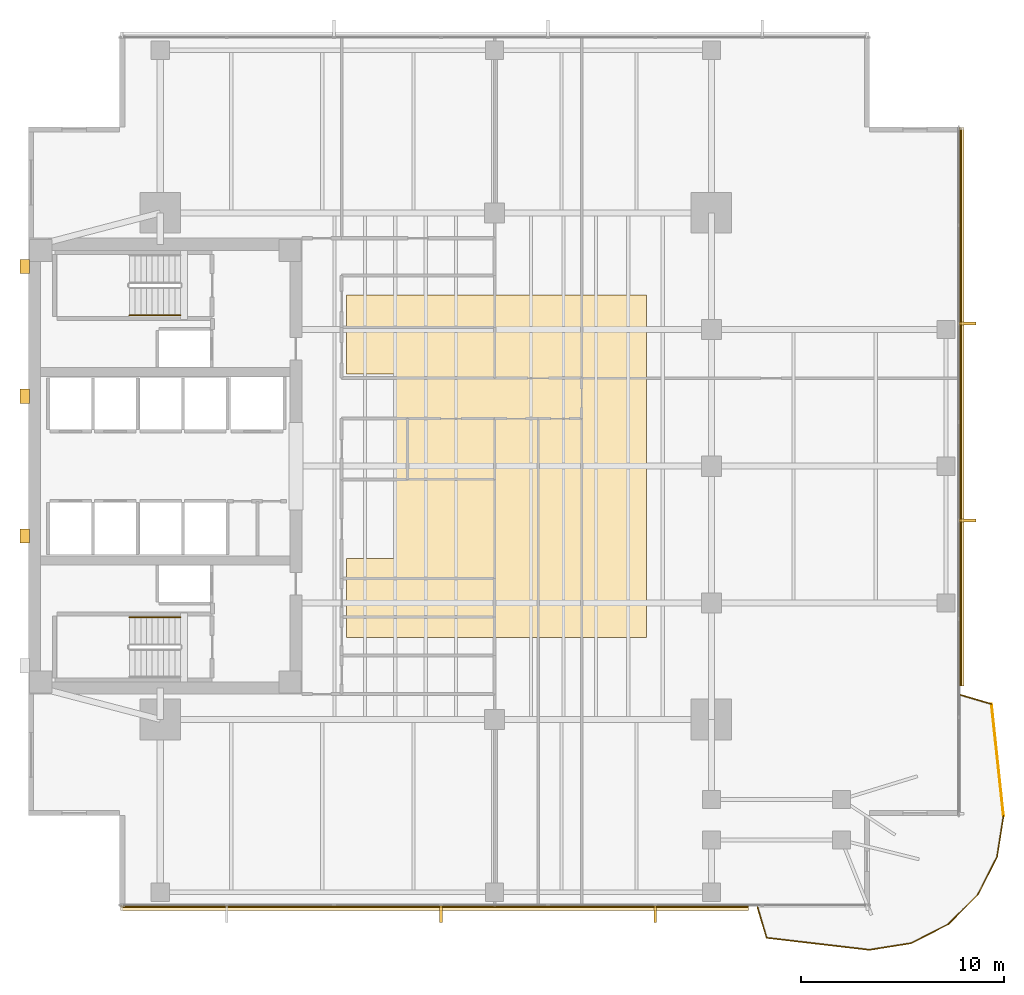
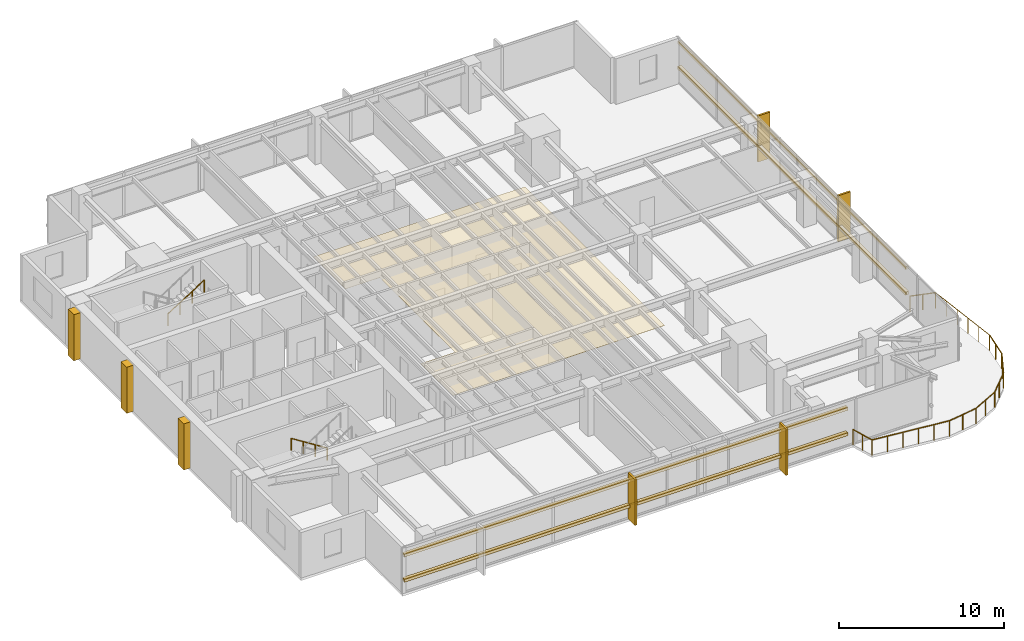
# One storey, part 12 of 14: 12 coverings, 11 railings, 4 shading devices.
"""IFC4 building model written with IfcOpenShell, lengths in metres."""

from ifc_helpers import new_model, si_unit, direction, frame, origin, origin_2d, place, context, subcontext, project, spatial, polyline, rectangle, circle, outline, extrude, material, layer, layer_set, material_profile, profile_set, type_object, element, save


model = new_model("IFC4")

# Units and contexts
model_context = context("Model", 3, precision=1e-05, world=origin(), true_north=direction((0.0, 1.0)))
body_context = subcontext(model_context, "Body", "Model", "MODEL_VIEW")
ifc_project = project(units=[si_unit("LENGTHUNIT", "METRE"), si_unit("AREAUNIT", "SQUARE_METRE"), si_unit("VOLUMEUNIT", "CUBIC_METRE"), si_unit("PLANEANGLEUNIT", "RADIAN"), si_unit("MASSUNIT", "GRAM", prefix="KILO")], contexts=[model_context])

# Site, building, storey
site_placement = place(None, origin())
site = spatial("IfcSite", under=ifc_project, at=site_placement, CompositionType="ELEMENT")
building_placement = place(site_placement, origin())
building = spatial("IfcBuilding", under=site, at=building_placement, Name="Kinhvarn Gate Tower", CompositionType="ELEMENT")
storey_placement = place(building_placement, frame((0.0, 0.0, 159.050048828125)))
storey = spatial("IfcBuildingStorey", under=building, at=storey_placement, Name="L42", CompositionType="ELEMENT", Elevation=159.050048828125)

# Coverings
ifc_material_1 = material(Name="Fired architectural terracotta", Category="masonry")
ifc_layer_1 = layer(ifc_material_1, 0.239990234375)
ifc_layer_set_1 = layer_set([ifc_layer_1], Name="Fired architectural terracotta")
covering_type_1 = type_object("IfcCoveringType", Name="COV-BAG-220", PredefinedType="CLADDING", material=ifc_layer_set_1)
for number, where, name in (
    (1, (0.0, 0.0, 0.93994140625), "Terracotta Horizontal Sunscreen Band TBG-220 (L42)"),
    (2, (0.0, 0.0, 2.81005859375), "Terracotta Horizontal Sunscreen Band TBG-220 (L42)"),
):
    element("IfcCovering", number, at=place(storey_placement, frame(where)), inside=storey, type_object=covering_type_1, Name=name, PredefinedType="CLADDING", context=body_context, shape_type="SweptSolid", body=[
        extrude(outline(polyline([(9.0400390625, 3.570068359375), (40.02490234375, 3.570068359375), (40.02490234375, 3.330078125), (9.0400390625, 3.330078125), (9.0400390625, 3.570068359375)])), origin(), (0.0, 0.0, 1.0), 0.219970703125),
    ])
for number, where, name in (
    (3, (0.0, 0.0, 0.93994140625), "Terracotta Horizontal Sunscreen Band TBG-220 (L42)"),
    (4, (0.0, 0.0, 2.81005859375), "Terracotta Horizontal Sunscreen Band TBG-220 (L42)"),
):
    element("IfcCovering", number, at=place(storey_placement, frame(where)), inside=storey, type_object=covering_type_1, Name=name, PredefinedType="CLADDING", context=body_context, shape_type="SweptSolid", body=[
        extrude(outline(polyline([(50.429931640625, 14.412109375), (50.429931640625, 41.9599609375), (50.669921875, 41.9599609375), (50.669921875, 14.412109375), (50.429931640625, 14.412109375)])), origin(), (0.0, 0.0, 1.0), 0.219970703125),
    ])
ifc_material_2 = material(Name="Mineral-fibre acoustic ceiling tile")
ifc_layer_2 = layer(ifc_material_2, 0.02001953125)
ifc_layer_set_2 = layer_set([ifc_layer_2], Name="Mineral-fibre acoustic ceiling tile")
covering_type_2 = type_object("IfcCoveringType", Name="COV-CEIL-20", PredefinedType="CEILING", material=ifc_layer_set_2)
covering_1_placement = place(storey_placement, frame((0.0, 0.0, 2.64990234375)))
element("IfcCovering", 5, at=covering_1_placement, inside=storey, type_object=covering_type_2, Name="Suspended Acoustic Ceiling Tile (L42-1)", PredefinedType="CEILING", context=body_context, shape_type="SweptSolid", body=[
    extrude(outline(polyline([(35.0, 33.699951171875), (35.0, 16.800048828125), (20.199951171875, 16.800048828125), (20.199951171875, 20.699951171875), (22.60009765625, 20.699951171875), (22.60009765625, 29.800048828125), (20.199951171875, 29.800048828125), (20.199951171875, 33.699951171875), (35.0, 33.699951171875)])), origin(), (0.0, 0.0, 1.0), 0.02001953125),
])
ifc_layer_3 = layer(ifc_material_1, 0.139892578125)
ifc_layer_set_3 = layer_set([ifc_layer_3], Name="Fired architectural terracotta")
covering_type_3 = type_object("IfcCoveringType", Name="COV-FIN-850", PredefinedType="CLADDING", material=ifc_layer_set_3)
covering_2_placement = place(storey_placement, frame((0.0, 0.0, -0.02001953125)))
element("IfcCovering", 6, at=covering_2_placement, inside=storey, type_object=covering_type_3, Name="Vertical Terracotta Expressive Fin TFN-850 (L42)", PredefinedType="CLADDING", context=body_context, shape_type="SweptSolid", body=[
    extrude(outline(polyline([(24.787109375, 3.580078125), (24.927001953125, 3.580078125), (24.927001953125, 2.72998046875), (24.787109375, 2.72998046875), (24.787109375, 3.580078125)])), origin(), (0.0, 0.0, 1.0), 3.409912109375),
])
covering_3_placement = place(storey_placement, frame((0.0, 0.0, -0.02001953125)))
element("IfcCovering", 7, at=covering_3_placement, inside=storey, type_object=covering_type_3, Name="Vertical Terracotta Expressive Fin TFN-850 (L42)", PredefinedType="CLADDING", context=body_context, shape_type="SweptSolid", body=[
    extrude(outline(polyline([(35.358642578125, 3.580078125), (35.49853515625, 3.580078125), (35.49853515625, 2.72998046875), (35.358642578125, 2.72998046875), (35.358642578125, 3.580078125)])), origin(), (0.0, 0.0, 1.0), 3.409912109375),
])
covering_4_placement = place(storey_placement, frame((0.0, 0.0, -0.02001953125)))
element("IfcCovering", 8, at=covering_4_placement, inside=storey, type_object=covering_type_3, Name="Vertical Terracotta Expressive Fin TFN-850 (L42)", PredefinedType="CLADDING", context=body_context, shape_type="SweptSolid", body=[
    extrude(outline(polyline([(50.419921875, 22.50146484375), (50.419921875, 22.641357421875), (51.27001953125, 22.641357421875), (51.27001953125, 22.50146484375), (50.419921875, 22.50146484375)])), origin(), (0.0, 0.0, 1.0), 3.409912109375),
])
covering_5_placement = place(storey_placement, frame((0.0, 0.0, -0.02001953125)))
element("IfcCovering", 9, at=covering_5_placement, inside=storey, type_object=covering_type_3, Name="Vertical Terracotta Expressive Fin TFN-850 (L42)", PredefinedType="CLADDING", context=body_context, shape_type="SweptSolid", body=[
    extrude(outline(polyline([(50.419921875, 32.2158203125), (50.419921875, 32.355712890625), (51.27001953125, 32.355712890625), (51.27001953125, 32.2158203125), (50.419921875, 32.2158203125)])), origin(), (0.0, 0.0, 1.0), 3.409912109375),
])
ifc_material_3 = material(Name="Precast white architectural concrete C40/50", Category="concrete")
ifc_layer_4 = layer(ifc_material_3, 0.47998046875)
ifc_layer_set_4 = layer_set([ifc_layer_4], Name="Precast white architectural concrete C40/50")
covering_type_4 = type_object("IfcCoveringType", Name="COV-RIB-450", PredefinedType="CLADDING", material=ifc_layer_set_4)
covering_6_placement = place(storey_placement, frame((0.0, 0.0, -0.02001953125)))
element("IfcCovering", 10, at=covering_6_placement, inside=storey, type_object=covering_type_4, Name="West Core Sculptural Concrete Relief Rib CRB-450 (L42)", PredefinedType="CLADDING", context=body_context, shape_type="SweptSolid", body=[
    extrude(outline(polyline([(4.080078125, 21.449951171875), (4.56005859375, 21.449951171875), (4.56005859375, 22.14990234375), (4.080078125, 22.14990234375), (4.080078125, 21.449951171875)])), origin(), (0.0, 0.0, 1.0), 3.409912109375),
])
covering_7_placement = place(storey_placement, frame((0.0, 0.0, -0.02001953125)))
element("IfcCovering", 11, at=covering_7_placement, inside=storey, type_object=covering_type_4, Name="West Core Sculptural Concrete Relief Rib CRB-450 (L42)", PredefinedType="CLADDING", context=body_context, shape_type="SweptSolid", body=[
    extrude(outline(polyline([(4.080078125, 28.35009765625), (4.56005859375, 28.35009765625), (4.56005859375, 29.050048828125), (4.080078125, 29.050048828125), (4.080078125, 28.35009765625)])), origin(), (0.0, 0.0, 1.0), 3.409912109375),
])
covering_8_placement = place(storey_placement, frame((0.0, 0.0, -0.02001953125)))
element("IfcCovering", 12, at=covering_8_placement, inside=storey, type_object=covering_type_4, Name="West Core Sculptural Concrete Relief Rib CRB-450 (L42)", PredefinedType="CLADDING", context=body_context, shape_type="SweptSolid", body=[
    extrude(outline(polyline([(4.080078125, 34.75), (4.56005859375, 34.75), (4.56005859375, 35.449951171875), (4.080078125, 35.449951171875), (4.080078125, 34.75)])), origin(), (0.0, 0.0, 1.0), 3.409912109375),
])

# Railings
ifc_material_4 = material(Name="Clear low-e double glazing", Category="glass")
railing_type_1 = type_object("IfcRailingType", Name="RL-BAL-1150", PredefinedType="BALUSTRADE", material=ifc_material_4)
railing_1_placement = place(storey_placement, frame((40.47509765625, 3.5, 0.0)))
element("IfcRailing", 13, at=railing_1_placement, inside=storey, type_object=railing_type_1, Name="S-Carve Balcony Guardrail Seg 1 (L42)", PredefinedType="BALUSTRADE", context=body_context, shape_type="SweptSolid", body=[
    extrude(circle(Radius=0.02392578125, at=origin_2d()), frame((0.0, 0.0, 1.1259765625), z_axis=(0.283130985822, -0.959081250399, 0.0), x_axis=(0.959081250399, 0.283130985822, 0.0)), (0.0, 0.0, 1.0), 1.589111328125),
    extrude(circle(Radius=0.02099609375, at=origin_2d()), origin(), (0.0, 0.0, 1.0), 1.101806640625),
    extrude(circle(Radius=0.02099609375, at=origin_2d()), frame((0.22509765625, -0.76220703125, 0.0)), (0.0, 0.0, 1.0), 1.101806640625),
    extrude(circle(Radius=0.02099609375, at=origin_2d()), frame((0.449951171875, -1.524169921875, 0.0)), (0.0, 0.0, 1.0), 1.101806640625),
])
railing_2_placement = place(storey_placement, frame((40.925048828125, 1.975830078125, 0.0)))
element("IfcRailing", 14, at=railing_2_placement, inside=storey, type_object=railing_type_1, Name="S-Carve Balcony Guardrail Seg 2 (L42)", PredefinedType="BALUSTRADE", context=body_context, shape_type="SweptSolid", body=[
    extrude(circle(Radius=0.02392578125, at=origin_2d()), frame((0.0, 0.0, 1.1259765625), z_axis=(0.993247455781, -0.116015048955, 0.0), x_axis=(0.116015048955, 0.993247455781, 0.0)), (0.0, 0.0, 1.0), 5.109375),
    extrude(circle(Radius=0.02099609375, at=origin_2d()), origin(), (0.0, 0.0, 1.0), 1.101806640625),
    extrude(circle(Radius=0.02099609375, at=origin_2d()), frame((1.014892578125, -0.11865234375, 0.0)), (0.0, 0.0, 1.0), 1.101806640625),
    extrude(circle(Radius=0.02099609375, at=origin_2d()), frame((2.030029296875, -0.237060546875, 0.0)), (0.0, 0.0, 1.0), 1.101806640625),
    extrude(circle(Radius=0.02099609375, at=origin_2d()), frame((3.044921875, -0.355712890625, 0.0)), (0.0, 0.0, 1.0), 1.101806640625),
    extrude(circle(Radius=0.02099609375, at=origin_2d()), frame((4.06005859375, -0.47412109375, 0.0)), (0.0, 0.0, 1.0), 1.101806640625),
    extrude(circle(Radius=0.02099609375, at=origin_2d()), frame((5.074951171875, -0.5927734375, 0.0)), (0.0, 0.0, 1.0), 1.101806640625),
])
railing_3_placement = place(storey_placement, frame((46.0, 1.383056640625, 0.0)))
element("IfcRailing", 15, at=railing_3_placement, inside=storey, type_object=railing_type_1, Name="S-Carve Balcony Guardrail Seg 3 (L42)", PredefinedType="BALUSTRADE", context=body_context, shape_type="SweptSolid", body=[
    extrude(circle(Radius=0.02392578125, at=origin_2d()), frame((0.0, 0.0, 1.1259765625), z_axis=(0.987699781224, 0.156362214649, 0.0), x_axis=(-0.156362214649, 0.987699781224, 0.0)), (0.0, 0.0, 1.0), 2.0703125),
    extrude(circle(Radius=0.02099609375, at=origin_2d()), origin(), (0.0, 0.0, 1.0), 1.101806640625),
    extrude(circle(Radius=0.02099609375, at=origin_2d()), frame((1.0224609375, 0.161865234375, 0.0)), (0.0, 0.0, 1.0), 1.101806640625),
    extrude(circle(Radius=0.02099609375, at=origin_2d()), frame((2.044921875, 0.32373046875, 0.0)), (0.0, 0.0, 1.0), 1.101806640625),
])
railing_4_placement = place(storey_placement, frame((48.044921875, 1.706787109375, 0.0)))
element("IfcRailing", 16, at=railing_4_placement, inside=storey, type_object=railing_type_1, Name="S-Carve Balcony Guardrail Seg 4 (L42)", PredefinedType="BALUSTRADE", context=body_context, shape_type="SweptSolid", body=[
    extrude(circle(Radius=0.02392578125, at=origin_2d()), frame((0.0, 0.0, 1.1259765625), z_axis=(0.890980989811, 0.454040610294, 0.0), x_axis=(-0.454040610294, 0.890980989811, 0.0)), (0.0, 0.0, 1.0), 2.070068359375),
    extrude(circle(Radius=0.02099609375, at=origin_2d()), origin(), (0.0, 0.0, 1.0), 1.101806640625),
    extrude(circle(Radius=0.02099609375, at=origin_2d()), frame((0.92236328125, 0.469970703125, 0.0)), (0.0, 0.0, 1.0), 1.101806640625),
    extrude(circle(Radius=0.02099609375, at=origin_2d()), frame((1.844482421875, 0.93994140625, 0.0)), (0.0, 0.0, 1.0), 1.101806640625),
])
railing_5_placement = place(storey_placement, frame((49.889404296875, 2.646728515625, 0.0)))
element("IfcRailing", 17, at=railing_5_placement, inside=storey, type_object=railing_type_1, Name="S-Carve Balcony Guardrail Seg 5 (L42)", PredefinedType="BALUSTRADE", context=body_context, shape_type="SweptSolid", body=[
    extrude(circle(Radius=0.02392578125, at=origin_2d()), frame((0.0, 0.0, 1.1259765625), z_axis=(0.707106781187, 0.707106781187, 0.0), x_axis=(-0.707106781187, 0.707106781187, 0.0)), (0.0, 0.0, 1.0), 2.0703125),
    extrude(circle(Radius=0.02099609375, at=origin_2d()), origin(), (0.0, 0.0, 1.0), 1.101806640625),
    extrude(circle(Radius=0.02099609375, at=origin_2d()), frame((0.73193359375, 0.73193359375, 0.0)), (0.0, 0.0, 1.0), 1.101806640625),
    extrude(circle(Radius=0.02099609375, at=origin_2d()), frame((1.4638671875, 1.4638671875, 0.0)), (0.0, 0.0, 1.0), 1.101806640625),
])
railing_6_placement = place(storey_placement, frame((51.353271484375, 4.110595703125, 0.0)))
element("IfcRailing", 18, at=railing_6_placement, inside=storey, type_object=railing_type_1, Name="S-Carve Balcony Guardrail Seg 6 (L42)", PredefinedType="BALUSTRADE", context=body_context, shape_type="SweptSolid", body=[
    extrude(circle(Radius=0.02392578125, at=origin_2d()), frame((0.0, 0.0, 1.1259765625), z_axis=(0.454040610294, 0.890980989811, 0.0), x_axis=(-0.890980989811, 0.454040610294, 0.0)), (0.0, 0.0, 1.0), 2.070068359375),
    extrude(circle(Radius=0.02099609375, at=origin_2d()), origin(), (0.0, 0.0, 1.0), 1.101806640625),
    extrude(circle(Radius=0.02099609375, at=origin_2d()), frame((0.469970703125, 0.92236328125, 0.0)), (0.0, 0.0, 1.0), 1.101806640625),
    extrude(circle(Radius=0.02099609375, at=origin_2d()), frame((0.93994140625, 1.844482421875, 0.0)), (0.0, 0.0, 1.0), 1.101806640625),
])
railing_7_placement = place(storey_placement, frame((52.293212890625, 5.955078125, 0.0)))
element("IfcRailing", 19, at=railing_7_placement, inside=storey, type_object=railing_type_1, Name="S-Carve Balcony Guardrail Seg 7 (L42)", PredefinedType="BALUSTRADE", context=body_context, shape_type="SweptSolid", body=[
    extrude(circle(Radius=0.02392578125, at=origin_2d()), frame((0.0, 0.0, 1.1259765625), z_axis=(0.156362214649, 0.987699781224, 0.0), x_axis=(-0.987699781224, 0.156362214649, 0.0)), (0.0, 0.0, 1.0), 2.0703125),
    extrude(circle(Radius=0.02099609375, at=origin_2d()), origin(), (0.0, 0.0, 1.0), 1.101806640625),
    extrude(circle(Radius=0.02099609375, at=origin_2d()), frame((0.161865234375, 1.0224609375, 0.0)), (0.0, 0.0, 1.0), 1.101806640625),
    extrude(circle(Radius=0.02099609375, at=origin_2d()), frame((0.32373046875, 2.044921875, 0.0)), (0.0, 0.0, 1.0), 1.101806640625),
])
railing_8_placement = place(storey_placement, frame((52.616943359375, 8.0, 0.0)))
element("IfcRailing", 20, at=railing_8_placement, inside=storey, type_object=railing_type_1, Name="S-Carve Balcony Guardrail Seg 8 (L42)", PredefinedType="BALUSTRADE", context=body_context, shape_type="SweptSolid", body=[
    extrude(circle(Radius=0.02392578125, at=origin_2d()), frame((0.0, 0.0, 1.1259765625), z_axis=(-0.106926522333, 0.994266925338, 0.0), x_axis=(-0.994266925338, -0.106926522333, 0.0)), (0.0, 0.0, 1.0), 5.543701171875),
    extrude(circle(Radius=0.02099609375, at=origin_2d()), origin(), (0.0, 0.0, 1.0), 1.101806640625),
    extrude(circle(Radius=0.02099609375, at=origin_2d()), frame((-0.11865234375, 1.102294921875, 0.0)), (0.0, 0.0, 1.0), 1.101806640625),
    extrude(circle(Radius=0.02099609375, at=origin_2d()), frame((-0.237060546875, 2.204833984375, 0.0)), (0.0, 0.0, 1.0), 1.101806640625),
    extrude(circle(Radius=0.02099609375, at=origin_2d()), frame((-0.355712890625, 3.30712890625, 0.0)), (0.0, 0.0, 1.0), 1.101806640625),
    extrude(circle(Radius=0.02099609375, at=origin_2d()), frame((-0.47412109375, 4.40966796875, 0.0)), (0.0, 0.0, 1.0), 1.101806640625),
    extrude(circle(Radius=0.02099609375, at=origin_2d()), frame((-0.5927734375, 5.511962890625, 0.0)), (0.0, 0.0, 1.0), 1.101806640625),
])
railing_9_placement = place(storey_placement, frame((52.024169921875, 13.511962890625, 0.0)))
element("IfcRailing", 21, at=railing_9_placement, inside=storey, type_object=railing_type_1, Name="S-Carve Balcony Guardrail Seg 9 (L42)", PredefinedType="BALUSTRADE", context=body_context, shape_type="SweptSolid", body=[
    extrude(circle(Radius=0.02392578125, at=origin_2d()), frame((0.0, 0.0, 1.1259765625), z_axis=(-0.959081250399, 0.283130985822, 0.0), x_axis=(-0.283130985822, -0.959081250399, 0.0)), (0.0, 0.0, 1.0), 1.589111328125),
    extrude(circle(Radius=0.02099609375, at=origin_2d()), origin(), (0.0, 0.0, 1.0), 1.101806640625),
    extrude(circle(Radius=0.02099609375, at=origin_2d()), frame((-0.76220703125, 0.22509765625, 0.0)), (0.0, 0.0, 1.0), 1.101806640625),
    extrude(circle(Radius=0.02099609375, at=origin_2d()), frame((-1.524169921875, 0.449951171875, 0.0)), (0.0, 0.0, 1.0), 1.101806640625),
])
ifc_material_5 = material(Name="Steel S355", Category="steel")
railing_type_2 = type_object("IfcRailingType", Name="RL-ST-HND", PredefinedType="HANDRAIL", material=ifc_material_5)
railing_10_placement = place(storey_placement, frame((12.0, 17.800048828125, 0.177490234375)))
element("IfcRailing", 22, at=railing_10_placement, inside=storey, type_object=railing_type_2, Name="L42 ST1 stair handrail 1", PredefinedType="HANDRAIL", context=body_context, shape_type="SweptSolid", body=[
    extrude(circle(Radius=0.02392578125, at=origin_2d()), frame((0.0, 0.0, 0.8759765625), z_axis=(-0.84460694969, 0.0, 0.535386869969), x_axis=(0.0, -1.0, 0.0)), (0.0, 0.0, 1.0), 2.983642578125),
    extrude(circle(Radius=0.02099609375, at=origin_2d()), origin(), (0.0, 0.0, 1.0), 0.851806640625),
    extrude(circle(Radius=0.02099609375, at=origin_2d()), frame((-0.840087890625, 0.0, 0.532470703125)), (0.0, 0.0, 1.0), 0.851806640625),
    extrude(circle(Radius=0.02099609375, at=origin_2d()), frame((-1.679931640625, 0.0, 1.06494140625)), (0.0, 0.0, 1.0), 0.851806640625),
    extrude(circle(Radius=0.02099609375, at=origin_2d()), frame((-2.52001953125, 0.0, 1.597412109375)), (0.0, 0.0, 1.0), 0.851806640625),
])
railing_11_placement = place(storey_placement, frame((9.47998046875, 32.699951171875, 1.952392578125)))
element("IfcRailing", 23, at=railing_11_placement, inside=storey, type_object=railing_type_2, Name="L42 ST2 stair handrail 2", PredefinedType="HANDRAIL", context=body_context, shape_type="SweptSolid", body=[
    extrude(circle(Radius=0.02392578125, at=origin_2d()), frame((0.0, 0.0, 0.8759765625), z_axis=(0.84456994832, 0.0, 0.535445237532), x_axis=(0.0, 1.0, 0.0)), (0.0, 0.0, 1.0), 2.98388671875),
    extrude(circle(Radius=0.02099609375, at=origin_2d()), origin(), (0.0, 0.0, 1.0), 0.851806640625),
    extrude(circle(Radius=0.02099609375, at=origin_2d()), frame((0.840087890625, 0.0, 0.532470703125)), (0.0, 0.0, 1.0), 0.851806640625),
    extrude(circle(Radius=0.02099609375, at=origin_2d()), frame((1.679931640625, 0.0, 1.065185546875)), (0.0, 0.0, 1.0), 0.851806640625),
    extrude(circle(Radius=0.02099609375, at=origin_2d()), frame((2.52001953125, 0.0, 1.59765625)), (0.0, 0.0, 1.0), 0.851806640625),
])

# Shading devices
ifc_material_profile = material_profile(ifc_material_1, rectangle(XDim=0.050048828125, YDim=0.1201171875, at=origin_2d()), Name="TC 50x120")
ifc_profile_set = profile_set([ifc_material_profile], Name="Fired architectural terracotta")
shading_device_type = type_object("IfcShadingDeviceType", Name="SHD-BAG-140", PredefinedType="USERDEFINED", material=ifc_profile_set)
for number, where, z_axis, x_axis, name in (
    (24, (9.0400390625, 3.5, 1.050048828125), (1.0, 0.0, 0.0), (0.0, 1.0, 0.0), "Upper Tower Terracotta Baguette Screen Rod 50x120 mm (L42)"),
    (25, (9.0400390625, 3.5, 2.919921875), (1.0, 0.0, 0.0), (0.0, 1.0, 0.0), "Upper Tower Terracotta Baguette Screen Rod 50x120 mm (L42)"),
):
    element("IfcShadingDevice", number, at=place(storey_placement, frame(where, z_axis=z_axis, x_axis=x_axis)), inside=storey, type_object=shading_device_type, Name=name, ObjectType="BAGUETTE", PredefinedType="USERDEFINED", context=body_context, shape_type="SweptSolid", body=[
        extrude(rectangle(XDim=0.050048828125, YDim=0.1201171875, at=origin_2d()), origin(), (0.0, 0.0, 1.0), 30.98486328125),
    ])
for number, where, z_axis, x_axis, name in (
    (26, (50.5, 14.412109375, 1.050048828125), (0.0, 1.0, 0.0), (-1.0, 0.0, 0.0), "Upper Tower Terracotta Baguette Screen Rod 50x120 mm (L42)"),
    (27, (50.5, 14.412109375, 2.919921875), (0.0, 1.0, 0.0), (-1.0, 0.0, 0.0), "Upper Tower Terracotta Baguette Screen Rod 50x120 mm (L42)"),
):
    element("IfcShadingDevice", number, at=place(storey_placement, frame(where, z_axis=z_axis, x_axis=x_axis)), inside=storey, type_object=shading_device_type, Name=name, ObjectType="BAGUETTE", PredefinedType="USERDEFINED", context=body_context, shape_type="SweptSolid", body=[
        extrude(rectangle(XDim=0.050048828125, YDim=0.1201171875, at=origin_2d()), origin(), (0.0, 0.0, 1.0), 27.5478515625),
    ])

save(model, "model.ifc")
